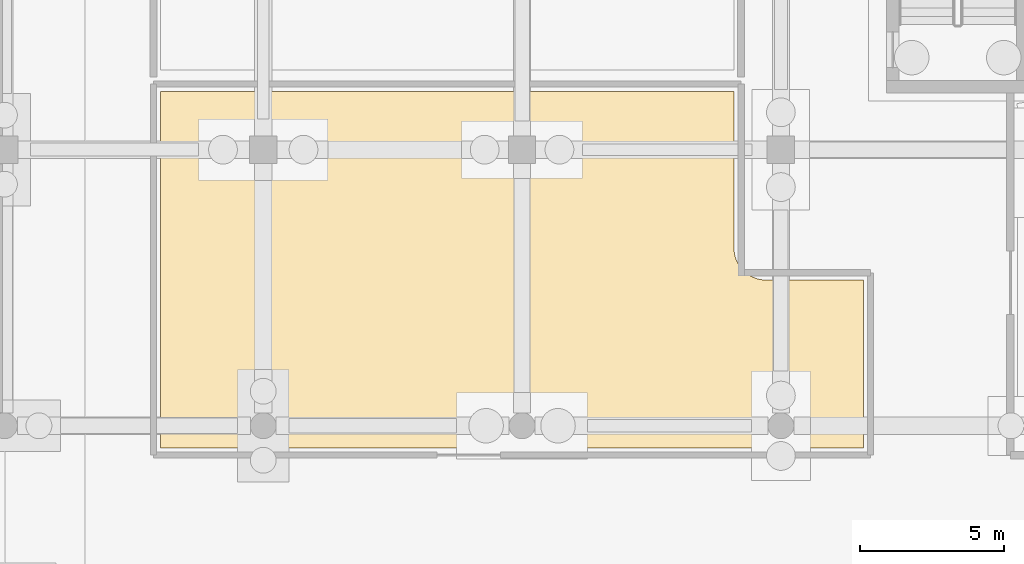
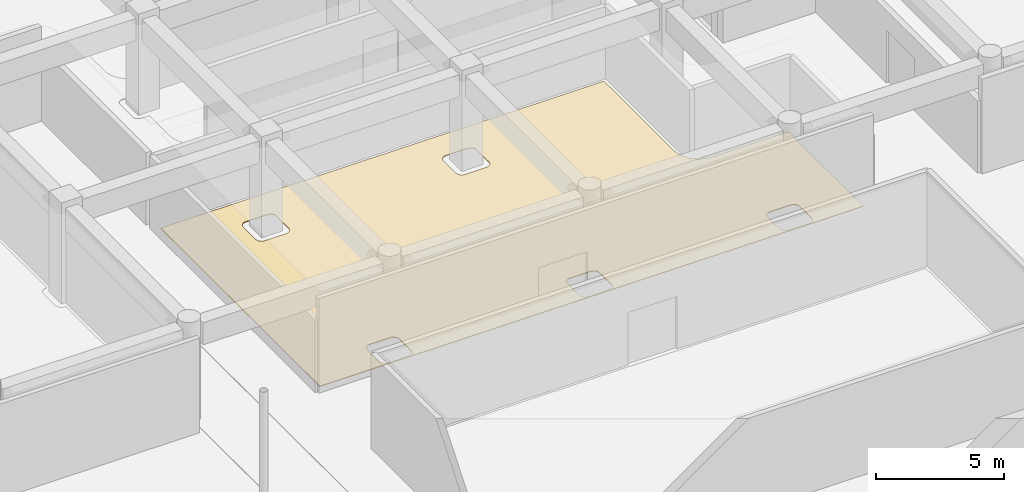
# One storey, part 38 of 47: 1 covering.
"""IFC4 building model written with IfcOpenShell, lengths in metres."""

from ifc_helpers import new_model, si_unit, direction, frame, origin, place, context, subcontext, project, spatial, polyline, outline, extrude, material, layer, layer_set, type_object, element, save


model = new_model("IFC4")

# Units and contexts
model_context = context("Model", 3, precision=1e-05, world=origin(), true_north=direction((0.0, 1.0)))
body_context = subcontext(model_context, "Body", "Model", "MODEL_VIEW")
ifc_project = project(units=[si_unit("LENGTHUNIT", "METRE"), si_unit("AREAUNIT", "SQUARE_METRE"), si_unit("VOLUMEUNIT", "CUBIC_METRE"), si_unit("PLANEANGLEUNIT", "RADIAN"), si_unit("MASSUNIT", "GRAM", prefix="KILO")], contexts=[model_context])

# Site, building, storey
site_placement = place(None, origin())
site = spatial("IfcSite", under=ifc_project, at=site_placement, CompositionType="ELEMENT")
building_placement = place(site_placement, origin())
building = spatial("IfcBuilding", under=site, at=building_placement, Name="Cendralis Terraced Arcade", CompositionType="ELEMENT")
storey_placement = place(building_placement, frame((0.0, 0.0, -4.800048828125)))
storey = spatial("IfcBuildingStorey", under=building, at=storey_placement, Name="B1", CompositionType="ELEMENT", Elevation=-4.800048828125)

# Covering
ifc_material = material(Name="Polished Bogota limestone terrazzo flooring", Category="masonry")
ifc_layer = layer(ifc_material, 0.030029296875, Name="COV-FLR-TERZ-30")
ifc_layer_set = layer_set([ifc_layer], Name="Polished Bogota limestone terrazzo flooring")
covering_type = type_object("IfcCoveringType", Name="COV-FLR-TERZ-30", PredefinedType="FLOORING", material=ifc_layer_set)
covering_placement = place(storey_placement, origin())
element("IfcCovering", 1, at=covering_placement, inside=storey, type_object=covering_type, Name="Interior Finish Flooring B1-018", PredefinedType="FLOORING", context=body_context, shape_type="SweptSolid", body=[
    extrude(outline(polyline([(146.570068359375, 66.1708984375), (146.5703125, 66.1650390625), (146.5703125, 66.162109375), (146.570556640625, 66.158935546875), (146.570556640625, 66.156005859375), (146.573486328125, 66.09521484375), (146.573974609375, 66.089111328125), (146.574462890625, 66.083251953125), (146.574951171875, 66.0771484375), (146.576171875, 66.0654296875), (146.57666015625, 66.059326171875), (146.577392578125, 66.053466796875), (146.578369140625, 66.04736328125), (146.587158203125, 65.987060546875), (146.588134765625, 65.981201171875), (146.589111328125, 65.975341796875), (146.59033203125, 65.96923828125), (146.592529296875, 65.957763671875), (146.593994140625, 65.95166015625), (146.59521484375, 65.946044921875), (146.5966796875, 65.93994140625), (146.611328125, 65.881103515625), (146.61279296875, 65.875), (146.614501953125, 65.869384765625), (146.6162109375, 65.863525390625), (146.61962890625, 65.852294921875), (146.62158203125, 65.84619140625), (146.623291015625, 65.8408203125), (146.625244140625, 65.8349609375), (146.645751953125, 65.777587890625), (146.64794921875, 65.77197265625), (146.650146484375, 65.766357421875), (146.65234375, 65.7607421875), (146.656982421875, 65.749755859375), (146.6591796875, 65.744140625), (146.66162109375, 65.73876953125), (146.664306640625, 65.733154296875), (146.690185546875, 65.67822265625), (146.69287109375, 65.672607421875), (146.695556640625, 65.66748046875), (146.698486328125, 65.662109375), (146.7041015625, 65.651611328125), (146.706787109375, 65.646240234375), (146.709716796875, 65.64111328125), (146.712890625, 65.6357421875), (146.744140625, 65.58349609375), (146.747314453125, 65.578369140625), (146.75048828125, 65.573486328125), (146.75390625, 65.568359375), (146.760498046875, 65.55859375), (146.763916015625, 65.553466796875), (146.767333984375, 65.548583984375), (146.77099609375, 65.543701171875), (146.80712890625, 65.494873046875), (146.810791015625, 65.489990234375), (146.814453125, 65.4853515625), (146.818359375, 65.48046875), (146.82568359375, 65.471435546875), (146.829833984375, 65.466796875), (146.83349609375, 65.462158203125), (146.837646484375, 65.45751953125), (146.87841796875, 65.41259765625), (146.8828125, 65.407958984375), (146.88671875, 65.40380859375), (146.89111328125, 65.3994140625), (146.8994140625, 65.39111328125), (146.90380859375, 65.38671875), (146.907958984375, 65.3828125), (146.91259765625, 65.37841796875), (146.95751953125, 65.337646484375), (146.962158203125, 65.33349609375), (146.966796875, 65.329833984375), (146.971435546875, 65.32568359375), (146.98046875, 65.318359375), (146.9853515625, 65.314453125), (146.989990234375, 65.310791015625), (146.994873046875, 65.30712890625), (147.043701171875, 65.27099609375), (147.048583984375, 65.267333984375), (147.053466796875, 65.263916015625), (147.05859375, 65.260498046875), (147.068359375, 65.25390625), (147.073486328125, 65.25048828125), (147.078369140625, 65.247314453125), (147.08349609375, 65.244140625), (147.1357421875, 65.212890625), (147.14111328125, 65.209716796875), (147.146240234375, 65.206787109375), (147.151611328125, 65.2041015625), (147.162109375, 65.198486328125), (147.16748046875, 65.195556640625), (147.172607421875, 65.19287109375), (147.17822265625, 65.190185546875), (147.233154296875, 65.164306640625), (147.23876953125, 65.16162109375), (147.244140625, 65.1591796875), (147.249755859375, 65.156982421875), (147.2607421875, 65.15234375), (147.266357421875, 65.150146484375), (147.27197265625, 65.14794921875), (147.277587890625, 65.145751953125), (147.3349609375, 65.125244140625), (147.3408203125, 65.123291015625), (147.34619140625, 65.12158203125), (147.352294921875, 65.11962890625), (147.363525390625, 65.1162109375), (147.369384765625, 65.114501953125), (147.375, 65.11279296875), (147.381103515625, 65.111328125), (147.43994140625, 65.0966796875), (147.446044921875, 65.09521484375), (147.45166015625, 65.093994140625), (147.457763671875, 65.092529296875), (147.46923828125, 65.09033203125), (147.475341796875, 65.089111328125), (147.481201171875, 65.088134765625), (147.487060546875, 65.087158203125), (147.54736328125, 65.078369140625), (147.553466796875, 65.077392578125), (147.559326171875, 65.07666015625), (147.5654296875, 65.076171875), (147.5771484375, 65.074951171875), (147.583251953125, 65.074462890625), (147.589111328125, 65.073974609375), (147.59521484375, 65.073486328125), (147.656005859375, 65.070556640625), (147.658935546875, 65.070556640625), (147.662109375, 65.0703125), (147.6650390625, 65.0703125), (147.6708984375, 65.070068359375), (147.674072265625, 65.070068359375), (147.677001953125, 65.070068359375), (147.679931640625, 65.070068359375), (151.070068359375, 65.070068359375), (151.070068359375, 59.22998046875), (126.6298828125, 59.22998046875), (126.6298828125, 71.6298828125), (146.570068359375, 71.6298828125), (146.570068359375, 66.179931640625), (146.570068359375, 66.177001953125), (146.570068359375, 66.174072265625), (146.570068359375, 66.1708984375)]), holes=[polyline([(147.6337890625, 59.306396484375), (147.635498046875, 59.305419921875), (147.658203125, 59.296142578125), (147.659912109375, 59.29541015625), (147.683349609375, 59.288330078125), (147.685302734375, 59.287841796875), (147.70947265625, 59.283203125), (147.71142578125, 59.28271484375), (147.73583984375, 59.280517578125), (147.73779296875, 59.2802734375), (147.75, 59.280029296875), (148.64990234375, 59.280029296875), (148.662353515625, 59.2802734375), (148.664306640625, 59.280517578125), (148.688720703125, 59.28271484375), (148.690673828125, 59.283203125), (148.714599609375, 59.287841796875), (148.716552734375, 59.288330078125), (148.739990234375, 59.29541015625), (148.741943359375, 59.296142578125), (148.764404296875, 59.305419921875), (148.766357421875, 59.306396484375), (148.7880859375, 59.31787109375), (148.78955078125, 59.31884765625), (148.81005859375, 59.33251953125), (148.8115234375, 59.333740234375), (148.83056640625, 59.349365234375), (148.83203125, 59.3505859375), (148.849365234375, 59.367919921875), (148.8505859375, 59.369384765625), (148.8662109375, 59.388427734375), (148.867431640625, 59.389892578125), (148.881103515625, 59.410400390625), (148.882080078125, 59.412109375), (148.8935546875, 59.43359375), (148.89453125, 59.435546875), (148.90380859375, 59.4580078125), (148.904541015625, 59.4599609375), (148.91162109375, 59.4833984375), (148.912109375, 59.4853515625), (148.9169921875, 59.509521484375), (148.917236328125, 59.511474609375), (148.919677734375, 59.535888671875), (148.919677734375, 59.53759765625), (148.919921875, 59.550048828125), (148.919921875, 60.449951171875), (148.919677734375, 60.46240234375), (148.919677734375, 60.464111328125), (148.917236328125, 60.488525390625), (148.9169921875, 60.490478515625), (148.912109375, 60.5146484375), (148.91162109375, 60.5166015625), (148.904541015625, 60.5400390625), (148.90380859375, 60.5419921875), (148.89453125, 60.564453125), (148.8935546875, 60.56640625), (148.882080078125, 60.587890625), (148.881103515625, 60.589599609375), (148.867431640625, 60.610107421875), (148.8662109375, 60.611572265625), (148.8505859375, 60.630615234375), (148.849365234375, 60.632080078125), (148.83203125, 60.6494140625), (148.83056640625, 60.650634765625), (148.8115234375, 60.666259765625), (148.81005859375, 60.66748046875), (148.78955078125, 60.68115234375), (148.7880859375, 60.68212890625), (148.766357421875, 60.693603515625), (148.764404296875, 60.694580078125), (148.741943359375, 60.703857421875), (148.739990234375, 60.70458984375), (148.716552734375, 60.711669921875), (148.714599609375, 60.712158203125), (148.690673828125, 60.716796875), (148.688720703125, 60.71728515625), (148.664306640625, 60.719482421875), (148.662353515625, 60.7197265625), (148.64990234375, 60.719970703125), (147.75, 60.719970703125), (147.73779296875, 60.7197265625), (147.73583984375, 60.719482421875), (147.71142578125, 60.71728515625), (147.70947265625, 60.716796875), (147.685302734375, 60.712158203125), (147.683349609375, 60.711669921875), (147.659912109375, 60.70458984375), (147.658203125, 60.703857421875), (147.635498046875, 60.694580078125), (147.6337890625, 60.693603515625), (147.612060546875, 60.68212890625), (147.6103515625, 60.68115234375), (147.590087890625, 60.66748046875), (147.58837890625, 60.666259765625), (147.5693359375, 60.650634765625), (147.568115234375, 60.6494140625), (147.550537109375, 60.632080078125), (147.54931640625, 60.630615234375), (147.53369140625, 60.611572265625), (147.53271484375, 60.610107421875), (147.518798828125, 60.589599609375), (147.517822265625, 60.587890625), (147.50634765625, 60.56640625), (147.505615234375, 60.564453125), (147.49609375, 60.5419921875), (147.49560546875, 60.5400390625), (147.48828125, 60.5166015625), (147.48779296875, 60.5146484375), (147.483154296875, 60.490478515625), (147.48291015625, 60.488525390625), (147.48046875, 60.464111328125), (147.480224609375, 60.46240234375), (147.47998046875, 60.449951171875), (147.47998046875, 59.550048828125), (147.480224609375, 59.53759765625), (147.48046875, 59.535888671875), (147.48291015625, 59.511474609375), (147.483154296875, 59.509521484375), (147.48779296875, 59.4853515625), (147.48828125, 59.4833984375), (147.49560546875, 59.4599609375), (147.49609375, 59.4580078125), (147.505615234375, 59.435546875), (147.50634765625, 59.43359375), (147.517822265625, 59.412109375), (147.518798828125, 59.410400390625), (147.53271484375, 59.389892578125), (147.53369140625, 59.388427734375), (147.54931640625, 59.369384765625), (147.550537109375, 59.367919921875), (147.568115234375, 59.3505859375), (147.5693359375, 59.349365234375), (147.58837890625, 59.333740234375), (147.590087890625, 59.33251953125), (147.6103515625, 59.31884765625), (147.612060546875, 59.31787109375), (147.6337890625, 59.306396484375)]), polyline([(138.608642578125, 68.88134765625), (138.610595703125, 68.880615234375), (138.633056640625, 68.87109375), (138.635009765625, 68.87060546875), (138.658447265625, 68.86328125), (138.660400390625, 68.86279296875), (138.684326171875, 68.858154296875), (138.686279296875, 68.85791015625), (138.710693359375, 68.85546875), (138.712646484375, 68.855224609375), (138.72509765625, 68.85498046875), (139.675048828125, 68.85498046875), (139.687255859375, 68.855224609375), (139.689208984375, 68.85546875), (139.713623046875, 68.85791015625), (139.715576171875, 68.858154296875), (139.739501953125, 68.86279296875), (139.74169921875, 68.86328125), (139.764892578125, 68.87060546875), (139.766845703125, 68.87109375), (139.78955078125, 68.880615234375), (139.791259765625, 68.88134765625), (139.81298828125, 68.892822265625), (139.814697265625, 68.893798828125), (139.8349609375, 68.90771484375), (139.836669921875, 68.90869140625), (139.855712890625, 68.92431640625), (139.85693359375, 68.925537109375), (139.87451171875, 68.943115234375), (139.875732421875, 68.9443359375), (139.891357421875, 68.96337890625), (139.892333984375, 68.965087890625), (139.906005859375, 68.9853515625), (139.906982421875, 68.987060546875), (139.918701171875, 69.0087890625), (139.91943359375, 69.010498046875), (139.928955078125, 69.033203125), (139.929443359375, 69.034912109375), (139.9365234375, 69.058349609375), (139.93701171875, 69.060302734375), (139.94189453125, 69.08447265625), (139.942138671875, 69.08642578125), (139.944580078125, 69.11083984375), (139.944580078125, 69.11279296875), (139.945068359375, 69.125), (139.945068359375, 70.074951171875), (139.944580078125, 70.08740234375), (139.944580078125, 70.089111328125), (139.942138671875, 70.113525390625), (139.94189453125, 70.115478515625), (139.93701171875, 70.1396484375), (139.9365234375, 70.1416015625), (139.929443359375, 70.1650390625), (139.928955078125, 70.1669921875), (139.91943359375, 70.189453125), (139.918701171875, 70.19140625), (139.906982421875, 70.212890625), (139.906005859375, 70.214599609375), (139.892333984375, 70.235107421875), (139.891357421875, 70.236572265625), (139.875732421875, 70.255615234375), (139.87451171875, 70.257080078125), (139.85693359375, 70.2744140625), (139.855712890625, 70.275634765625), (139.836669921875, 70.291259765625), (139.8349609375, 70.29248046875), (139.814697265625, 70.30615234375), (139.81298828125, 70.30712890625), (139.791259765625, 70.318603515625), (139.78955078125, 70.319580078125), (139.766845703125, 70.328857421875), (139.764892578125, 70.32958984375), (139.74169921875, 70.336669921875), (139.739501953125, 70.337158203125), (139.715576171875, 70.341796875), (139.713623046875, 70.34228515625), (139.689208984375, 70.344482421875), (139.687255859375, 70.3447265625), (139.675048828125, 70.344970703125), (138.72509765625, 70.344970703125), (138.712646484375, 70.3447265625), (138.710693359375, 70.344482421875), (138.686279296875, 70.34228515625), (138.684326171875, 70.341796875), (138.660400390625, 70.337158203125), (138.658447265625, 70.336669921875), (138.635009765625, 70.32958984375), (138.633056640625, 70.328857421875), (138.610595703125, 70.319580078125), (138.608642578125, 70.318603515625), (138.5869140625, 70.30712890625), (138.58544921875, 70.30615234375), (138.56494140625, 70.29248046875), (138.5634765625, 70.291259765625), (138.54443359375, 70.275634765625), (138.54296875, 70.2744140625), (138.525634765625, 70.257080078125), (138.5244140625, 70.255615234375), (138.5087890625, 70.236572265625), (138.507568359375, 70.235107421875), (138.493896484375, 70.214599609375), (138.492919921875, 70.212890625), (138.4814453125, 70.19140625), (138.48046875, 70.189453125), (138.47119140625, 70.1669921875), (138.470458984375, 70.1650390625), (138.46337890625, 70.1416015625), (138.462890625, 70.1396484375), (138.4580078125, 70.115478515625), (138.457763671875, 70.113525390625), (138.455322265625, 70.089111328125), (138.455322265625, 70.08740234375), (138.455078125, 70.074951171875), (138.455078125, 69.125), (138.455322265625, 69.11279296875), (138.455322265625, 69.11083984375), (138.457763671875, 69.08642578125), (138.4580078125, 69.08447265625), (138.462890625, 69.060302734375), (138.46337890625, 69.058349609375), (138.470458984375, 69.034912109375), (138.47119140625, 69.033203125), (138.48046875, 69.010498046875), (138.4814453125, 69.0087890625), (138.492919921875, 68.987060546875), (138.493896484375, 68.9853515625), (138.507568359375, 68.965087890625), (138.5087890625, 68.96337890625), (138.5244140625, 68.9443359375), (138.525634765625, 68.943115234375), (138.54296875, 68.925537109375), (138.54443359375, 68.92431640625), (138.5634765625, 68.90869140625), (138.56494140625, 68.90771484375), (138.58544921875, 68.893798828125), (138.5869140625, 68.892822265625), (138.608642578125, 68.88134765625)]), polyline([(138.6337890625, 59.306396484375), (138.635498046875, 59.305419921875), (138.658203125, 59.296142578125), (138.659912109375, 59.29541015625), (138.683349609375, 59.288330078125), (138.685302734375, 59.287841796875), (138.70947265625, 59.283203125), (138.71142578125, 59.28271484375), (138.73583984375, 59.280517578125), (138.73779296875, 59.2802734375), (138.75, 59.280029296875), (139.64990234375, 59.280029296875), (139.662353515625, 59.2802734375), (139.664306640625, 59.280517578125), (139.688720703125, 59.28271484375), (139.690673828125, 59.283203125), (139.714599609375, 59.287841796875), (139.716552734375, 59.288330078125), (139.739990234375, 59.29541015625), (139.741943359375, 59.296142578125), (139.764404296875, 59.305419921875), (139.766357421875, 59.306396484375), (139.7880859375, 59.31787109375), (139.78955078125, 59.31884765625), (139.81005859375, 59.33251953125), (139.8115234375, 59.333740234375), (139.83056640625, 59.349365234375), (139.83203125, 59.3505859375), (139.849365234375, 59.367919921875), (139.8505859375, 59.369384765625), (139.8662109375, 59.388427734375), (139.867431640625, 59.389892578125), (139.881103515625, 59.410400390625), (139.882080078125, 59.412109375), (139.8935546875, 59.43359375), (139.89453125, 59.435546875), (139.90380859375, 59.4580078125), (139.904541015625, 59.4599609375), (139.91162109375, 59.4833984375), (139.912109375, 59.4853515625), (139.9169921875, 59.509521484375), (139.917236328125, 59.511474609375), (139.919677734375, 59.535888671875), (139.919677734375, 59.53759765625), (139.919921875, 59.550048828125), (139.919921875, 60.449951171875), (139.919677734375, 60.46240234375), (139.919677734375, 60.464111328125), (139.917236328125, 60.488525390625), (139.9169921875, 60.490478515625), (139.912109375, 60.5146484375), (139.91162109375, 60.5166015625), (139.904541015625, 60.5400390625), (139.90380859375, 60.5419921875), (139.89453125, 60.564453125), (139.8935546875, 60.56640625), (139.882080078125, 60.587890625), (139.881103515625, 60.589599609375), (139.867431640625, 60.610107421875), (139.8662109375, 60.611572265625), (139.8505859375, 60.630615234375), (139.849365234375, 60.632080078125), (139.83203125, 60.6494140625), (139.83056640625, 60.650634765625), (139.8115234375, 60.666259765625), (139.81005859375, 60.66748046875), (139.78955078125, 60.68115234375), (139.7880859375, 60.68212890625), (139.766357421875, 60.693603515625), (139.764404296875, 60.694580078125), (139.741943359375, 60.703857421875), (139.739990234375, 60.70458984375), (139.716552734375, 60.711669921875), (139.714599609375, 60.712158203125), (139.690673828125, 60.716796875), (139.688720703125, 60.71728515625), (139.664306640625, 60.719482421875), (139.662353515625, 60.7197265625), (139.64990234375, 60.719970703125), (138.75, 60.719970703125), (138.73779296875, 60.7197265625), (138.73583984375, 60.719482421875), (138.71142578125, 60.71728515625), (138.70947265625, 60.716796875), (138.685302734375, 60.712158203125), (138.683349609375, 60.711669921875), (138.659912109375, 60.70458984375), (138.658203125, 60.703857421875), (138.635498046875, 60.694580078125), (138.6337890625, 60.693603515625), (138.612060546875, 60.68212890625), (138.6103515625, 60.68115234375), (138.590087890625, 60.66748046875), (138.58837890625, 60.666259765625), (138.5693359375, 60.650634765625), (138.568115234375, 60.6494140625), (138.550537109375, 60.632080078125), (138.54931640625, 60.630615234375), (138.53369140625, 60.611572265625), (138.53271484375, 60.610107421875), (138.518798828125, 60.589599609375), (138.517822265625, 60.587890625), (138.50634765625, 60.56640625), (138.505615234375, 60.564453125), (138.49609375, 60.5419921875), (138.49560546875, 60.5400390625), (138.48828125, 60.5166015625), (138.48779296875, 60.5146484375), (138.483154296875, 60.490478515625), (138.48291015625, 60.488525390625), (138.48046875, 60.464111328125), (138.480224609375, 60.46240234375), (138.47998046875, 60.449951171875), (138.47998046875, 59.550048828125), (138.480224609375, 59.53759765625), (138.48046875, 59.535888671875), (138.48291015625, 59.511474609375), (138.483154296875, 59.509521484375), (138.48779296875, 59.4853515625), (138.48828125, 59.4833984375), (138.49560546875, 59.4599609375), (138.49609375, 59.4580078125), (138.505615234375, 59.435546875), (138.50634765625, 59.43359375), (138.517822265625, 59.412109375), (138.518798828125, 59.410400390625), (138.53271484375, 59.389892578125), (138.53369140625, 59.388427734375), (138.54931640625, 59.369384765625), (138.550537109375, 59.367919921875), (138.568115234375, 59.3505859375), (138.5693359375, 59.349365234375), (138.58837890625, 59.333740234375), (138.590087890625, 59.33251953125), (138.6103515625, 59.31884765625), (138.612060546875, 59.31787109375), (138.6337890625, 59.306396484375)]), polyline([(129.608642578125, 68.88134765625), (129.610595703125, 68.880615234375), (129.633056640625, 68.87109375), (129.635009765625, 68.87060546875), (129.658447265625, 68.86328125), (129.660400390625, 68.86279296875), (129.684326171875, 68.858154296875), (129.686279296875, 68.85791015625), (129.710693359375, 68.85546875), (129.712646484375, 68.855224609375), (129.72509765625, 68.85498046875), (130.675048828125, 68.85498046875), (130.687255859375, 68.855224609375), (130.689208984375, 68.85546875), (130.713623046875, 68.85791015625), (130.715576171875, 68.858154296875), (130.739501953125, 68.86279296875), (130.74169921875, 68.86328125), (130.764892578125, 68.87060546875), (130.766845703125, 68.87109375), (130.78955078125, 68.880615234375), (130.791259765625, 68.88134765625), (130.81298828125, 68.892822265625), (130.814697265625, 68.893798828125), (130.8349609375, 68.90771484375), (130.836669921875, 68.90869140625), (130.855712890625, 68.92431640625), (130.85693359375, 68.925537109375), (130.87451171875, 68.943115234375), (130.875732421875, 68.9443359375), (130.891357421875, 68.96337890625), (130.892333984375, 68.965087890625), (130.906005859375, 68.9853515625), (130.906982421875, 68.987060546875), (130.918701171875, 69.0087890625), (130.91943359375, 69.010498046875), (130.928955078125, 69.033203125), (130.929443359375, 69.034912109375), (130.9365234375, 69.058349609375), (130.93701171875, 69.060302734375), (130.94189453125, 69.08447265625), (130.942138671875, 69.08642578125), (130.944580078125, 69.11083984375), (130.944580078125, 69.11279296875), (130.945068359375, 69.125), (130.945068359375, 70.074951171875), (130.944580078125, 70.08740234375), (130.944580078125, 70.089111328125), (130.942138671875, 70.113525390625), (130.94189453125, 70.115478515625), (130.93701171875, 70.1396484375), (130.9365234375, 70.1416015625), (130.929443359375, 70.1650390625), (130.928955078125, 70.1669921875), (130.91943359375, 70.189453125), (130.918701171875, 70.19140625), (130.906982421875, 70.212890625), (130.906005859375, 70.214599609375), (130.892333984375, 70.235107421875), (130.891357421875, 70.236572265625), (130.875732421875, 70.255615234375), (130.87451171875, 70.257080078125), (130.85693359375, 70.2744140625), (130.855712890625, 70.275634765625), (130.836669921875, 70.291259765625), (130.8349609375, 70.29248046875), (130.814697265625, 70.30615234375), (130.81298828125, 70.30712890625), (130.791259765625, 70.318603515625), (130.78955078125, 70.319580078125), (130.766845703125, 70.328857421875), (130.764892578125, 70.32958984375), (130.74169921875, 70.336669921875), (130.739501953125, 70.337158203125), (130.715576171875, 70.341796875), (130.713623046875, 70.34228515625), (130.689208984375, 70.344482421875), (130.687255859375, 70.3447265625), (130.675048828125, 70.344970703125), (129.72509765625, 70.344970703125), (129.712646484375, 70.3447265625), (129.710693359375, 70.344482421875), (129.686279296875, 70.34228515625), (129.684326171875, 70.341796875), (129.660400390625, 70.337158203125), (129.658447265625, 70.336669921875), (129.635009765625, 70.32958984375), (129.633056640625, 70.328857421875), (129.610595703125, 70.319580078125), (129.608642578125, 70.318603515625), (129.5869140625, 70.30712890625), (129.58544921875, 70.30615234375), (129.56494140625, 70.29248046875), (129.5634765625, 70.291259765625), (129.54443359375, 70.275634765625), (129.54296875, 70.2744140625), (129.525634765625, 70.257080078125), (129.5244140625, 70.255615234375), (129.5087890625, 70.236572265625), (129.507568359375, 70.235107421875), (129.493896484375, 70.214599609375), (129.492919921875, 70.212890625), (129.4814453125, 70.19140625), (129.48046875, 70.189453125), (129.47119140625, 70.1669921875), (129.470458984375, 70.1650390625), (129.46337890625, 70.1416015625), (129.462890625, 70.1396484375), (129.4580078125, 70.115478515625), (129.457763671875, 70.113525390625), (129.455322265625, 70.089111328125), (129.455322265625, 70.08740234375), (129.455078125, 70.074951171875), (129.455078125, 69.125), (129.455322265625, 69.11279296875), (129.455322265625, 69.11083984375), (129.457763671875, 69.08642578125), (129.4580078125, 69.08447265625), (129.462890625, 69.060302734375), (129.46337890625, 69.058349609375), (129.470458984375, 69.034912109375), (129.47119140625, 69.033203125), (129.48046875, 69.010498046875), (129.4814453125, 69.0087890625), (129.492919921875, 68.987060546875), (129.493896484375, 68.9853515625), (129.507568359375, 68.965087890625), (129.5087890625, 68.96337890625), (129.5244140625, 68.9443359375), (129.525634765625, 68.943115234375), (129.54296875, 68.925537109375), (129.54443359375, 68.92431640625), (129.5634765625, 68.90869140625), (129.56494140625, 68.90771484375), (129.58544921875, 68.893798828125), (129.5869140625, 68.892822265625), (129.608642578125, 68.88134765625)]), polyline([(129.6337890625, 59.306396484375), (129.635498046875, 59.305419921875), (129.658203125, 59.296142578125), (129.659912109375, 59.29541015625), (129.683349609375, 59.288330078125), (129.685302734375, 59.287841796875), (129.70947265625, 59.283203125), (129.71142578125, 59.28271484375), (129.73583984375, 59.280517578125), (129.73779296875, 59.2802734375), (129.75, 59.280029296875), (130.64990234375, 59.280029296875), (130.662353515625, 59.2802734375), (130.664306640625, 59.280517578125), (130.688720703125, 59.28271484375), (130.690673828125, 59.283203125), (130.714599609375, 59.287841796875), (130.716552734375, 59.288330078125), (130.739990234375, 59.29541015625), (130.741943359375, 59.296142578125), (130.764404296875, 59.305419921875), (130.766357421875, 59.306396484375), (130.7880859375, 59.31787109375), (130.78955078125, 59.31884765625), (130.81005859375, 59.33251953125), (130.8115234375, 59.333740234375), (130.83056640625, 59.349365234375), (130.83203125, 59.3505859375), (130.849365234375, 59.367919921875), (130.8505859375, 59.369384765625), (130.8662109375, 59.388427734375), (130.867431640625, 59.389892578125), (130.881103515625, 59.410400390625), (130.882080078125, 59.412109375), (130.8935546875, 59.43359375), (130.89453125, 59.435546875), (130.90380859375, 59.4580078125), (130.904541015625, 59.4599609375), (130.91162109375, 59.4833984375), (130.912109375, 59.4853515625), (130.9169921875, 59.509521484375), (130.917236328125, 59.511474609375), (130.919677734375, 59.535888671875), (130.919677734375, 59.53759765625), (130.919921875, 59.550048828125), (130.919921875, 60.449951171875), (130.919677734375, 60.46240234375), (130.919677734375, 60.464111328125), (130.917236328125, 60.488525390625), (130.9169921875, 60.490478515625), (130.912109375, 60.5146484375), (130.91162109375, 60.5166015625), (130.904541015625, 60.5400390625), (130.90380859375, 60.5419921875), (130.89453125, 60.564453125), (130.8935546875, 60.56640625), (130.882080078125, 60.587890625), (130.881103515625, 60.589599609375), (130.867431640625, 60.610107421875), (130.8662109375, 60.611572265625), (130.8505859375, 60.630615234375), (130.849365234375, 60.632080078125), (130.83203125, 60.6494140625), (130.83056640625, 60.650634765625), (130.8115234375, 60.666259765625), (130.81005859375, 60.66748046875), (130.78955078125, 60.68115234375), (130.7880859375, 60.68212890625), (130.766357421875, 60.693603515625), (130.764404296875, 60.694580078125), (130.741943359375, 60.703857421875), (130.739990234375, 60.70458984375), (130.716552734375, 60.711669921875), (130.714599609375, 60.712158203125), (130.690673828125, 60.716796875), (130.688720703125, 60.71728515625), (130.664306640625, 60.719482421875), (130.662353515625, 60.7197265625), (130.64990234375, 60.719970703125), (129.75, 60.719970703125), (129.73779296875, 60.7197265625), (129.73583984375, 60.719482421875), (129.71142578125, 60.71728515625), (129.70947265625, 60.716796875), (129.685302734375, 60.712158203125), (129.683349609375, 60.711669921875), (129.659912109375, 60.70458984375), (129.658203125, 60.703857421875), (129.635498046875, 60.694580078125), (129.6337890625, 60.693603515625), (129.612060546875, 60.68212890625), (129.6103515625, 60.68115234375), (129.590087890625, 60.66748046875), (129.58837890625, 60.666259765625), (129.5693359375, 60.650634765625), (129.568115234375, 60.6494140625), (129.550537109375, 60.632080078125), (129.54931640625, 60.630615234375), (129.53369140625, 60.611572265625), (129.53271484375, 60.610107421875), (129.518798828125, 60.589599609375), (129.517822265625, 60.587890625), (129.50634765625, 60.56640625), (129.505615234375, 60.564453125), (129.49609375, 60.5419921875), (129.49560546875, 60.5400390625), (129.48828125, 60.5166015625), (129.48779296875, 60.5146484375), (129.483154296875, 60.490478515625), (129.48291015625, 60.488525390625), (129.48046875, 60.464111328125), (129.480224609375, 60.46240234375), (129.47998046875, 60.449951171875), (129.47998046875, 59.550048828125), (129.480224609375, 59.53759765625), (129.48046875, 59.535888671875), (129.48291015625, 59.511474609375), (129.483154296875, 59.509521484375), (129.48779296875, 59.4853515625), (129.48828125, 59.4833984375), (129.49560546875, 59.4599609375), (129.49609375, 59.4580078125), (129.505615234375, 59.435546875), (129.50634765625, 59.43359375), (129.517822265625, 59.412109375), (129.518798828125, 59.410400390625), (129.53271484375, 59.389892578125), (129.53369140625, 59.388427734375), (129.54931640625, 59.369384765625), (129.550537109375, 59.367919921875), (129.568115234375, 59.3505859375), (129.5693359375, 59.349365234375), (129.58837890625, 59.333740234375), (129.590087890625, 59.33251953125), (129.6103515625, 59.31884765625), (129.612060546875, 59.31787109375), (129.6337890625, 59.306396484375)])]), origin(), (0.0, 0.0, 1.0), 0.030029296875),
])

save(model, "model.ifc")
